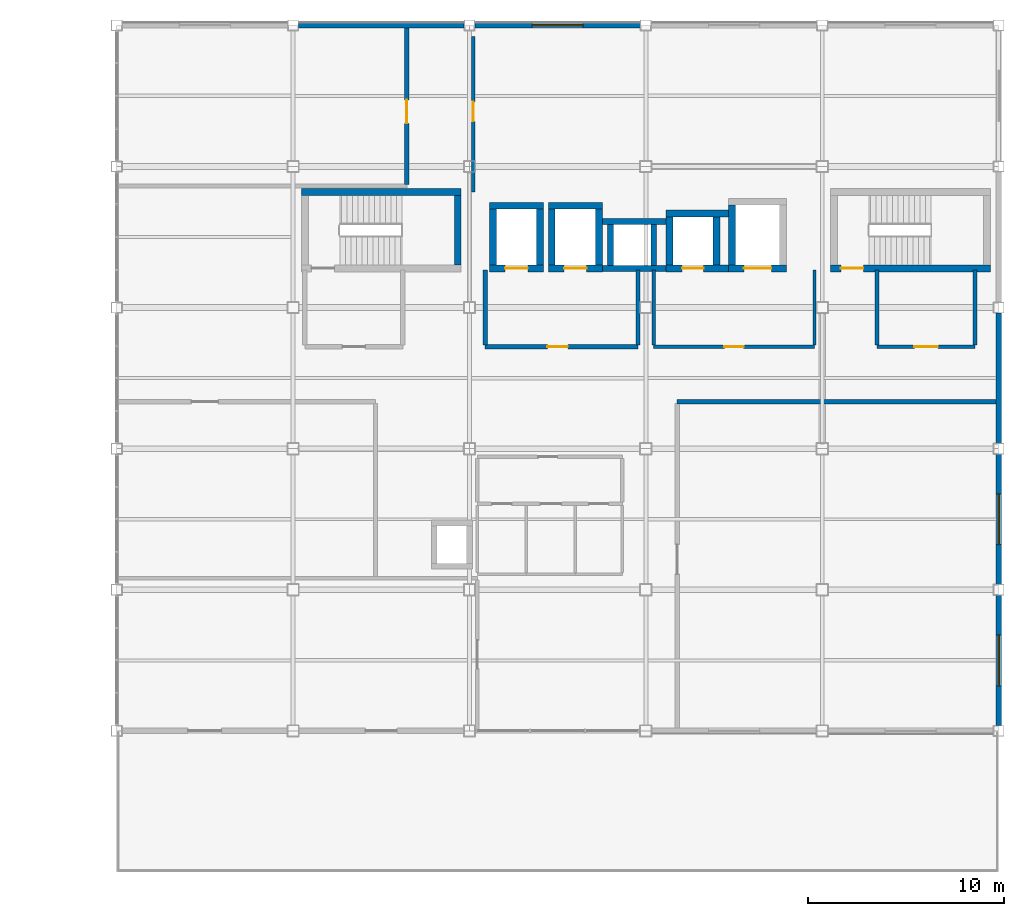
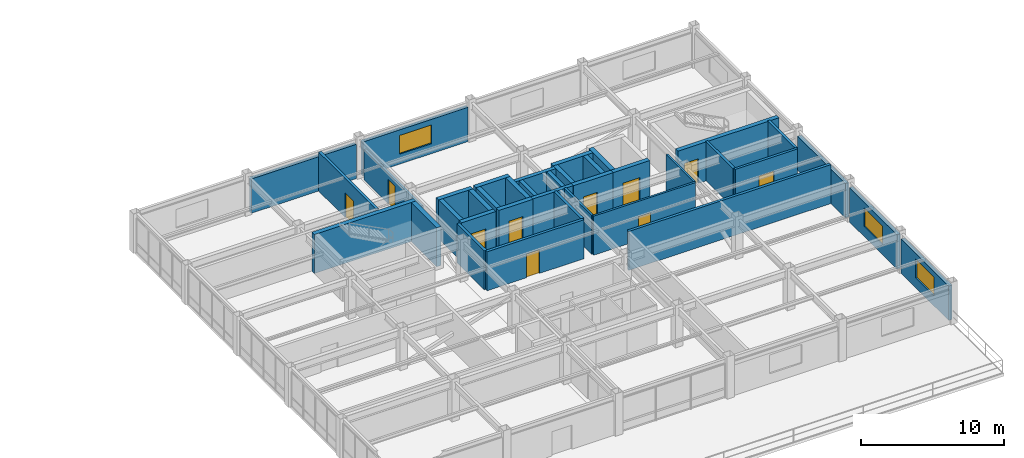
# One storey, part 38 of 43: 38 walls, 10 doors, 3 windows, 13 openings.
"""IFC4 building model written with IfcOpenShell, lengths in metres."""

from ifc_helpers import new_model, si_unit, direction, frame, frame_2d, origin, place, context, subcontext, project, spatial, rectangle, extrude, material, layer, layer_set, type_object, element, fill, save


model = new_model("IFC4")

# Units and contexts
model_context = context("Model", 3, precision=1e-05, world=origin(), true_north=direction((0.0, 1.0)))
body_context = subcontext(model_context, "Body", "Model", "MODEL_VIEW")
ifc_project = project(units=[si_unit("LENGTHUNIT", "METRE"), si_unit("AREAUNIT", "SQUARE_METRE"), si_unit("VOLUMEUNIT", "CUBIC_METRE"), si_unit("PLANEANGLEUNIT", "RADIAN"), si_unit("MASSUNIT", "GRAM", prefix="KILO")], contexts=[model_context])

# Site, building, storey
site_placement = place(None, origin())
site = spatial("IfcSite", under=ifc_project, at=site_placement, CompositionType="ELEMENT")
building_placement = place(site_placement, origin())
building = spatial("IfcBuilding", under=site, at=building_placement, Name="Kazanami Central Library", CompositionType="ELEMENT")
storey_placement = place(building_placement, frame((0.0, 0.0, 20.60009765625)))
storey = spatial("IfcBuildingStorey", under=building, at=storey_placement, Name="L06", CompositionType="ELEMENT", Elevation=20.60009765625)

# Wall
ifc_material_1 = material(Name="Concrete Fc36 (36 MPa)", Category="concrete")
ifc_layer_1 = layer(ifc_material_1, 0.199951171875, Name="Concrete Fc36 (36 MPa)")
ifc_material_2 = material(Name="Extruded Polystyrene XPS", Category="earth")
ifc_layer_2 = layer(ifc_material_2, 0.050048828125, Name="Extruded Polystyrene XPS")
ifc_material_3 = material(Name="Honed Inada Granite", Category="masonry")
ifc_layer_3 = layer(ifc_material_3, 0.030029296875, Name="Honed Inada Granite")
ifc_layer_set_1 = layer_set([ifc_layer_1, ifc_layer_2, ifc_layer_3], Name="Concrete Fc36 (36 MPa)")
wall_type_1 = type_object("IfcWallType", Name="WAL-EW-280", PredefinedType="STANDARD", material=ifc_layer_set_1)
wall_1_placement = place(storey_placement, frame((134.72509765625, 93.60009765625, 0.0), z_axis=(0.0, 0.0, 1.0), x_axis=(-1.0, 0.0, 0.0)))
element("IfcWall", 1, at=wall_1_placement, inside=storey, type_object=wall_type_1, Name="Exterior Facade Wall EW-280 L06 N-O-14", PredefinedType="STANDARD", context=body_context, shape_type="SweptSolid", body=[
    extrude(rectangle(XDim=8.4501953125, YDim=0.280029296875, at=frame_2d((4.22509765625, 0.0))), origin(), (0.0, 0.0, 1.0), 2.919921875),
])

# Wall, opening, window
wall_2_placement = place(storey_placement, frame((143.72509765625, 93.60009765625, 0.0), z_axis=(0.0, 0.0, 1.0), x_axis=(-1.0, 0.0, 0.0)))
wall_2 = element("IfcWall", 2, at=wall_2_placement, inside=storey, type_object=wall_type_1, Name="Exterior Facade Wall EW-280 L06 N-O-15", PredefinedType="STANDARD", context=body_context, shape_type="SweptSolid", body=[
    extrude(rectangle(XDim=8.4501953125, YDim=0.280029296875, at=frame_2d((4.22509765625, 0.0))), origin(), (0.0, 0.0, 1.0), 2.919921875),
])
opening_1_placement = place(wall_2_placement, frame((2.925048828125, 0.0, 0.85009765625)))
opening_1 = element("IfcOpeningElement", 3, at=opening_1_placement, cuts=wall_2, Name="Opening WN-13", PredefinedType="OPENING", context=body_context, shape_type="SweptSolid", body=[
    extrude(rectangle(XDim=2.60009765625, YDim=1.60009765625, at=frame_2d((1.300048828125, 0.800048828125))), frame((0.0, 0.15185546875, 0.0), z_axis=(0.0, -1.0, 0.0), x_axis=(1.0, 0.0, 0.0)), (0.0, 0.0, 1.0), 0.303955078125),
])
ifc_material_4 = material(Name="Low-E Insulated Triple Glass", Category="glass")
window_type = type_object("IfcWindowType", Name="WIN-WN-13", PartitioningType="DOUBLE_PANEL_VERTICAL", PredefinedType="WINDOW", material=ifc_material_4)
window_1_placement = place(opening_1_placement, origin())
window_1 = element("IfcWindow", 4, at=window_1_placement, inside=storey, type_object=window_type, Name="Facade Window WN-13 L06 N-O-15", OverallHeight=1.60009765625, OverallWidth=2.60009765625, PartitioningType="DOUBLE_PANEL_VERTICAL", PredefinedType="WINDOW", context=body_context, shape_type="SweptSolid", body=[
    extrude(rectangle(XDim=2.60009765625, YDim=1.60009765625, at=frame_2d((1.300048828125, 0.800048828125))), frame((0.0, 0.030029296875, 0.0), z_axis=(0.0, -1.0, 0.0), x_axis=(1.0, 0.0, 0.0)), (0.0, 0.0, 1.0), 0.06005859375),
])
fill(opening_1, window_1)

wall_3_placement = place(storey_placement, frame((162.0, 64.52490234375, 0.0), z_axis=(0.0, 0.0, 1.0), x_axis=(0.0, -1.0, 0.0)))
wall_3 = element("IfcWall", 5, at=wall_3_placement, inside=storey, type_object=wall_type_1, Name="Exterior Facade Wall EW-280 L06 E-19-08", PredefinedType="STANDARD", context=body_context, shape_type="SweptSolid", body=[
    extrude(rectangle(XDim=6.64990234375, YDim=0.280029296875, at=frame_2d((3.324951171875, 0.0))), origin(), (0.0, 0.0, 1.0), 2.919921875),
])
opening_2_placement = place(wall_3_placement, frame((2.02490234375, 0.0, 0.85009765625)))
opening_2 = element("IfcOpeningElement", 6, at=opening_2_placement, cuts=wall_3, Name="Opening WN-13", PredefinedType="OPENING", context=body_context, shape_type="SweptSolid", body=[
    extrude(rectangle(XDim=2.60009765625, YDim=1.60009765625, at=frame_2d((1.300048828125, 0.800048828125))), frame((0.0, 0.15185546875, 0.0), z_axis=(0.0, -1.0, 0.0), x_axis=(1.0, 0.0, 0.0)), (0.0, 0.0, 1.0), 0.303955078125),
])
window_2_placement = place(opening_2_placement, origin())
window_2 = element("IfcWindow", 7, at=window_2_placement, inside=storey, type_object=window_type, Name="Facade Window WN-13 L06 E-19-08", OverallHeight=1.60009765625, OverallWidth=2.60009765625, PartitioningType="DOUBLE_PANEL_VERTICAL", PredefinedType="WINDOW", context=body_context, shape_type="SweptSolid", body=[
    extrude(rectangle(XDim=2.60009765625, YDim=1.60009765625, at=frame_2d((1.300048828125, 0.800048828125))), frame((0.0, 0.030029296875, 0.0), z_axis=(0.0, -1.0, 0.0), x_axis=(1.0, 0.0, 0.0)), (0.0, 0.0, 1.0), 0.06005859375),
])
fill(opening_2, window_2)

wall_4_placement = place(storey_placement, frame((162.0, 71.72509765625, 0.0), z_axis=(0.0, 0.0, 1.0), x_axis=(0.0, -1.0, 0.0)))
wall_4 = element("IfcWall", 8, at=wall_4_placement, inside=storey, type_object=wall_type_1, Name="Exterior Facade Wall EW-280 L06 E-19-09", PredefinedType="STANDARD", context=body_context, shape_type="SweptSolid", body=[
    extrude(rectangle(XDim=6.650146484375, YDim=0.280029296875, at=frame_2d((3.3251953125, 0.0))), origin(), (0.0, 0.0, 1.0), 2.919921875),
])
opening_3_placement = place(wall_4_placement, frame((2.02490234375, 0.0, 0.85009765625)))
opening_3 = element("IfcOpeningElement", 9, at=opening_3_placement, cuts=wall_4, Name="Opening WN-13", PredefinedType="OPENING", context=body_context, shape_type="SweptSolid", body=[
    extrude(rectangle(XDim=2.60009765625, YDim=1.60009765625, at=frame_2d((1.300048828125, 0.800048828125))), frame((0.0, 0.15185546875, 0.0), z_axis=(0.0, -1.0, 0.0), x_axis=(1.0, 0.0, 0.0)), (0.0, 0.0, 1.0), 0.303955078125),
])
window_3_placement = place(opening_3_placement, origin())
window_3 = element("IfcWindow", 10, at=window_3_placement, inside=storey, type_object=window_type, Name="Facade Window WN-13 L06 E-19-09", OverallHeight=1.60009765625, OverallWidth=2.60009765625, PartitioningType="DOUBLE_PANEL_VERTICAL", PredefinedType="WINDOW", context=body_context, shape_type="SweptSolid", body=[
    extrude(rectangle(XDim=2.60009765625, YDim=1.60009765625, at=frame_2d((1.300048828125, 0.800048828125))), frame((0.0, 0.030029296875, 0.0), z_axis=(0.0, -1.0, 0.0), x_axis=(1.0, 0.0, 0.0)), (0.0, 0.0, 1.0), 0.06005859375),
])
fill(opening_3, window_3)

# Wall
wall_5_placement = place(storey_placement, frame((162.0, 78.925048828125, 0.0), z_axis=(0.0, 0.0, 1.0), x_axis=(0.0, -1.0, 0.0)))
element("IfcWall", 11, at=wall_5_placement, inside=storey, type_object=wall_type_1, Name="Exterior Facade Wall EW-280 L06 E-19-10", PredefinedType="STANDARD", context=body_context, shape_type="SweptSolid", body=[
    extrude(rectangle(XDim=6.650146484375, YDim=0.280029296875, at=frame_2d((3.3251953125, 0.0))), origin(), (0.0, 0.0, 1.0), 2.919921875),
])

# Wall, opening, door
ifc_material_5 = material(Name="Fire-Resistant Gypsum Board GB-F", Category="gypsum")
ifc_layer_4 = layer(ifc_material_5, 0.1650390625, Name="Fire-Resistant Gypsum Board GB-F")
ifc_layer_set_2 = layer_set([ifc_layer_4], Name="Fire-Resistant Gypsum Board GB-F")
wall_type_2 = type_object("IfcWallType", Name="WAL-FW-165", PredefinedType="PARTITIONING", material=ifc_layer_set_2)
wall_6_placement = place(storey_placement, frame((144.39990234375, 77.199951171875, 0.0), z_axis=(0.0, 0.0, 1.0), x_axis=(1.0, 0.0, 0.0)))
wall_6 = element("IfcWall", 12, at=wall_6_placement, inside=storey, type_object=wall_type_2, Name="Interior Partition FW-165 L06 LOBBY-V2 (South)", PredefinedType="PARTITIONING", context=body_context, shape_type="SweptSolid", body=[
    extrude(rectangle(XDim=8.2001953125, YDim=0.1650390625, at=frame_2d((4.10009765625, 0.0))), origin(), (0.0, 0.0, 1.0), 3.31982421875),
])
opening_4_placement = place(wall_6_placement, frame((3.610107421875, 0.0, 0.0)))
opening_4 = element("IfcOpeningElement", 13, at=opening_4_placement, cuts=wall_6, Name="Opening FD30-3", PredefinedType="OPENING", context=body_context, shape_type="SweptSolid", body=[
    extrude(rectangle(XDim=0.97998046875, YDim=2.02001953125, at=frame_2d((0.489990234375, 1.010009765625))), frame((0.0, 0.094482421875, 0.0), z_axis=(0.0, -1.0, 0.0), x_axis=(1.0, 0.0, 0.0)), (0.0, 0.0, 1.0), 0.18896484375),
])
ifc_material_6 = material(Name="Cold-Rolled Steel SPCC", Category="steel")
door_type_1 = type_object("IfcDoorType", Name="DOR-FD30-3", OperationType="NOTDEFINED", PredefinedType="DOOR", material=ifc_material_6)
door_1_placement = place(opening_4_placement, frame((0.97998046875, 0.0, 0.0), z_axis=(0.0, 0.0, 1.0), x_axis=(-1.0, 0.0, 0.0)))
door_1 = element("IfcDoor", 14, at=door_1_placement, inside=storey, type_object=door_type_1, Name="Interior Door FD30-3 L06 LOBBY-V2", OperationType="SINGLE_SWING_RIGHT", OverallHeight=2.02001953125, OverallWidth=0.97998046875, PredefinedType="DOOR", context=body_context, shape_type="SweptSolid", body=[
    extrude(rectangle(XDim=0.97998046875, YDim=2.02001953125, at=frame_2d((0.489990234375, 1.010009765625))), frame((0.0, 0.02490234375, 0.0), z_axis=(0.0, -1.0, 0.0), x_axis=(1.0, 0.0, 0.0)), (0.0, 0.0, 1.0), 0.050048828125),
])
fill(opening_4, door_1)

# Walls
for number, where, z_axis, x_axis, name in (
    (15, (144.39990234375, 77.2900390625, 0.0), (0.0, 0.0, 1.0), (0.0, 1.0, 0.0), "Interior Partition FW-165 L06 LOBBY-V2 (West)"),
    (16, (152.60009765625, 77.2900390625, 0.0), (0.0, 0.0, 1.0), (0.0, 1.0, 0.0), "Interior Partition FW-165 L06 LOBBY-V2 (East)"),
):
    element("IfcWall", number, at=place(storey_placement, frame(where, z_axis=z_axis, x_axis=x_axis)), inside=storey, type_object=wall_type_2, Name=name, PredefinedType="PARTITIONING", context=body_context, shape_type="SweptSolid", body=[
        extrude(rectangle(XDim=3.820068359375, YDim=0.1650390625, at=frame_2d((1.91015625, 0.0))), origin(), (0.0, 0.0, 1.0), 3.31982421875),
    ])

# Wall, opening, door
ifc_layer_5 = layer(ifc_material_5, 0.179931640625, Name="Fire-Resistant Gypsum Board GB-F")
ifc_layer_set_3 = layer_set([ifc_layer_5], Name="Fire-Resistant Gypsum Board GB-F")
wall_type_3 = type_object("IfcWallType", Name="WAL-FW-180", PredefinedType="PARTITIONING", material=ifc_layer_set_3)
wall_7_placement = place(storey_placement, frame((135.199951171875, 85.090087890625, 0.0), z_axis=(0.0, 0.0, 1.0), x_axis=(0.0, 1.0, 0.0)))
wall_7 = element("IfcWall", 17, at=wall_7_placement, inside=storey, type_object=wall_type_3, Name="Interior Partition FW-180 L06 RM-19 (West)", PredefinedType="PARTITIONING", context=body_context, shape_type="SweptSolid", body=[
    extrude(rectangle(XDim=7.94482421875, YDim=0.179931640625, at=frame_2d((3.972412109375, 0.0))), origin(), (0.0, 0.0, 1.0), 2.599853515625),
])
opening_5_placement = place(wall_7_placement, frame((3.610107421875, 0.0, 0.0)))
opening_5 = element("IfcOpeningElement", 18, at=opening_5_placement, cuts=wall_7, Name="Opening FD30-2", PredefinedType="OPENING", context=body_context, shape_type="SweptSolid", body=[
    extrude(rectangle(XDim=1.0, YDim=2.080078125, at=frame_2d((0.5, 1.0400390625))), frame((0.0, 0.10205078125, 0.0), z_axis=(0.0, -1.0, 0.0), x_axis=(1.0, 0.0, 0.0)), (0.0, 0.0, 1.0), 0.203857421875),
])
door_type_2 = type_object("IfcDoorType", Name="DOR-FD30-2", OperationType="NOTDEFINED", PredefinedType="DOOR", material=ifc_material_6)
door_2_placement = place(opening_5_placement, origin())
door_2 = element("IfcDoor", 19, at=door_2_placement, inside=storey, type_object=door_type_2, Name="Interior Door FD30-2 L06 RM-19", OperationType="SINGLE_SWING_LEFT", OverallHeight=2.080078125, OverallWidth=1.0, PredefinedType="DOOR", context=body_context, shape_type="SweptSolid", body=[
    extrude(rectangle(XDim=1.0, YDim=2.080078125, at=frame_2d((0.5, 1.0400390625))), frame((0.0, 0.02490234375, 0.0), z_axis=(0.0, -1.0, 0.0), x_axis=(1.0, 0.0, 0.0)), (0.0, 0.0, 1.0), 0.050048828125),
])
fill(opening_5, door_2)

ifc_layer_6 = layer(ifc_material_5, 0.199951171875, Name="Fire-Resistant Gypsum Board GB-F")
ifc_layer_set_4 = layer_set([ifc_layer_6], Name="Fire-Resistant Gypsum Board GB-F")
wall_type_4 = type_object("IfcWallType", Name="WAL-FW-200", PredefinedType="PARTITIONING", material=ifc_layer_set_4)
wall_8_placement = place(storey_placement, frame((155.800048828125, 77.199951171875, 0.0), z_axis=(0.0, 0.0, 1.0), x_axis=(1.0, 0.0, 0.0)))
wall_8 = element("IfcWall", 20, at=wall_8_placement, inside=storey, type_object=wall_type_4, Name="Interior Partition FW-200 L06 VEST-ST-02 (South)", PredefinedType="PARTITIONING", context=body_context, shape_type="SweptSolid", body=[
    extrude(rectangle(XDim=5.0, YDim=0.199951171875, at=frame_2d((2.5, 0.0))), origin(), (0.0, 0.0, 1.0), 3.31982421875),
])
opening_6_placement = place(wall_8_placement, frame((1.89990234375, 0.0, 0.0)))
opening_6 = element("IfcOpeningElement", 21, at=opening_6_placement, cuts=wall_8, Name="Opening FD60-1", PredefinedType="OPENING", context=body_context, shape_type="SweptSolid", body=[
    extrude(rectangle(XDim=1.199951171875, YDim=2.10009765625, at=frame_2d((0.60009765625, 1.050048828125))), frame((0.0, 0.11181640625, 0.0), z_axis=(0.0, -1.0, 0.0), x_axis=(1.0, 0.0, 0.0)), (0.0, 0.0, 1.0), 0.223876953125),
])
door_type_3 = type_object("IfcDoorType", Name="DOR-FD60-1", OperationType="NOTDEFINED", PredefinedType="DOOR", material=ifc_material_6)
door_3_placement = place(opening_6_placement, origin())
door_3 = element("IfcDoor", 22, at=door_3_placement, inside=storey, type_object=door_type_3, Name="Interior Door FD60-1 L06 VEST-ST-02", OperationType="SINGLE_SWING_RIGHT", OverallHeight=2.10009765625, OverallWidth=1.199951171875, PredefinedType="DOOR", context=body_context, shape_type="SweptSolid", body=[
    extrude(rectangle(XDim=1.199951171875, YDim=2.10009765625, at=frame_2d((0.60009765625, 1.050048828125))), frame((0.0, 0.02490234375, 0.0), z_axis=(0.0, -1.0, 0.0), x_axis=(1.0, 0.0, 0.0)), (0.0, 0.0, 1.0), 0.050048828125),
])
fill(opening_6, door_3)

# Walls
for number, where, z_axis, x_axis, name in (
    (23, (155.800048828125, 77.2900390625, 0.0), (0.0, 0.0, 1.0), (0.0, 1.0, 0.0), "Interior Partition FW-200 L06 VEST-ST-02 (West)"),
    (24, (160.800048828125, 77.2900390625, 0.0), (0.0, 0.0, 1.0), (0.0, 1.0, 0.0), "Interior Partition FW-200 L06 VEST-ST-02 (East)"),
):
    element("IfcWall", number, at=place(storey_placement, frame(where, z_axis=z_axis, x_axis=x_axis)), inside=storey, type_object=wall_type_4, Name=name, PredefinedType="PARTITIONING", context=body_context, shape_type="SweptSolid", body=[
        extrude(rectangle(XDim=3.820068359375, YDim=0.199951171875, at=frame_2d((1.91015625, 0.0))), origin(), (0.0, 0.0, 1.0), 3.31982421875),
    ])

# Wall, opening, door
ifc_layer_7 = layer(ifc_material_5, 0.219970703125, Name="Fire-Resistant Gypsum Board GB-F")
ifc_layer_set_5 = layer_set([ifc_layer_7], Name="Fire-Resistant Gypsum Board GB-F")
wall_type_5 = type_object("IfcWallType", Name="WAL-FW-220", PredefinedType="PARTITIONING", material=ifc_layer_set_5)
wall_9_placement = place(storey_placement, frame((135.800048828125, 77.199951171875, 0.0), z_axis=(0.0, 0.0, 1.0), x_axis=(1.0, 0.0, 0.0)))
wall_9 = element("IfcWall", 25, at=wall_9_placement, inside=storey, type_object=wall_type_5, Name="Interior Partition FW-220 L06 LOBBY-FF (South)", PredefinedType="PARTITIONING", context=body_context, shape_type="SweptSolid", body=[
    extrude(rectangle(XDim=7.800048828125, YDim=0.219970703125, at=frame_2d((3.89990234375, 0.0))), origin(), (0.0, 0.0, 1.0), 3.31982421875),
])
opening_7_placement = place(wall_9_placement, frame((3.175048828125, 0.0, 0.0)))
opening_7 = element("IfcOpeningElement", 26, at=opening_7_placement, cuts=wall_9, Name="Opening FD60-8", PredefinedType="OPENING", context=body_context, shape_type="SweptSolid", body=[
    extrude(rectangle(XDim=1.050048828125, YDim=2.02001953125, at=frame_2d((0.52490234375, 1.010009765625))), frame((0.0, 0.1220703125, 0.0), z_axis=(0.0, -1.0, 0.0), x_axis=(1.0, 0.0, 0.0)), (0.0, 0.0, 1.0), 0.243896484375),
])
door_type_4 = type_object("IfcDoorType", Name="DOR-FD60-8", OperationType="NOTDEFINED", PredefinedType="DOOR", material=ifc_material_6)
door_4_placement = place(opening_7_placement, frame((1.050048828125, 0.0, 0.0), z_axis=(0.0, 0.0, 1.0), x_axis=(-1.0, 0.0, 0.0)))
door_4 = element("IfcDoor", 27, at=door_4_placement, inside=storey, type_object=door_type_4, Name="Interior Door FD60-8 L06 LOBBY-FF", OperationType="SINGLE_SWING_LEFT", OverallHeight=2.02001953125, OverallWidth=1.050048828125, PredefinedType="DOOR", context=body_context, shape_type="SweptSolid", body=[
    extrude(rectangle(XDim=1.050048828125, YDim=2.02001953125, at=frame_2d((0.52490234375, 1.010009765625))), frame((0.0, 0.02490234375, 0.0), z_axis=(0.0, -1.0, 0.0), x_axis=(1.0, 0.0, 0.0)), (0.0, 0.0, 1.0), 0.050048828125),
])
fill(opening_7, door_4)

# Walls
for number, where, z_axis, x_axis, name in (
    (28, (135.800048828125, 77.2900390625, 0.0), (0.0, 0.0, 1.0), (0.0, 1.0, 0.0), "Interior Partition FW-220 L06 LOBBY-FF (West)"),
    (29, (143.60009765625, 77.2900390625, 0.0), (0.0, 0.0, 1.0), (0.0, 1.0, 0.0), "Interior Partition FW-220 L06 LOBBY-FF (East)"),
):
    element("IfcWall", number, at=place(storey_placement, frame(where, z_axis=z_axis, x_axis=x_axis)), inside=storey, type_object=wall_type_5, Name=name, PredefinedType="PARTITIONING", context=body_context, shape_type="SweptSolid", body=[
        extrude(rectangle(XDim=3.820068359375, YDim=0.219970703125, at=frame_2d((1.91015625, 0.0))), origin(), (0.0, 0.0, 1.0), 3.31982421875),
    ])
wall_10_placement = place(storey_placement, frame((145.60009765625, 74.39990234375, 0.0), z_axis=(0.0, 0.0, 1.0), x_axis=(1.0, 0.0, 0.0)))
element("IfcWall", 30, at=wall_10_placement, inside=storey, type_object=wall_type_5, Name="Interior Partition FW-220 L06 RM-17 (North)", PredefinedType="PARTITIONING", context=body_context, shape_type="SweptSolid", body=[
    extrude(rectangle(XDim=16.2548828125, YDim=0.219970703125, at=frame_2d((8.12744140625, 0.0))), origin(), (0.0, 0.0, 1.0), 3.31982421875),
])

# Wall, opening, door
wall_11_placement = place(storey_placement, frame((131.800048828125, 85.489990234375, 0.0), z_axis=(0.0, 0.0, 1.0), x_axis=(0.0, 1.0, 0.0)))
wall_11 = element("IfcWall", 31, at=wall_11_placement, inside=storey, type_object=wall_type_5, Name="Interior Partition FW-220 L06 RM-18 (East)", PredefinedType="PARTITIONING", context=body_context, shape_type="SweptSolid", body=[
    extrude(rectangle(XDim=7.965087890625, YDim=0.219970703125, at=frame_2d((3.982421875, 0.0))), origin(), (0.0, 0.0, 1.0), 3.31982421875),
])
opening_8_placement = place(wall_11_placement, frame((3.110107421875, 0.0, 0.0)))
opening_8 = element("IfcOpeningElement", 32, at=opening_8_placement, cuts=wall_11, Name="Opening FD60-1", PredefinedType="OPENING", context=body_context, shape_type="SweptSolid", body=[
    extrude(rectangle(XDim=1.199951171875, YDim=2.10009765625, at=frame_2d((0.60009765625, 1.050048828125))), frame((0.0, 0.1220703125, 0.0), z_axis=(0.0, -1.0, 0.0), x_axis=(1.0, 0.0, 0.0)), (0.0, 0.0, 1.0), 0.243896484375),
])
door_5_placement = place(opening_8_placement, origin())
door_5 = element("IfcDoor", 33, at=door_5_placement, inside=storey, type_object=door_type_3, Name="Interior Door FD60-1 L06 RM-18", OperationType="SINGLE_SWING_RIGHT", OverallHeight=2.10009765625, OverallWidth=1.199951171875, PredefinedType="DOOR", context=body_context, shape_type="SweptSolid", body=[
    extrude(rectangle(XDim=1.199951171875, YDim=2.10009765625, at=frame_2d((0.60009765625, 1.050048828125))), frame((0.0, 0.02490234375, 0.0), z_axis=(0.0, -1.0, 0.0), x_axis=(1.0, 0.0, 0.0)), (0.0, 0.0, 1.0), 0.050048828125),
])
fill(opening_8, door_5)

# Walls
ifc_layer_8 = layer(ifc_material_1, 0.300048828125, Name="Concrete Fc36 (36 MPa)")
ifc_layer_set_6 = layer_set([ifc_layer_8], Name="Concrete Fc36 (36 MPa)")
wall_type_6 = type_object("IfcWallType", Name="WAL-SW-300", PredefinedType="SHEAR", material=ifc_layer_set_6)
for number, where, z_axis, x_axis, name in (
    (34, (141.77490234375, 81.199951171875, 0.0), (0.0, 0.0, 1.0), (1.0, 0.0, 0.0), "Service Riser Wall RSR-V2-A S L06"),
    (35, (141.77490234375, 83.60009765625, 0.0), (0.0, 0.0, 1.0), (1.0, 0.0, 0.0), "Service Riser Wall RSR-V2-A N L06"),
):
    element("IfcWall", number, at=place(storey_placement, frame(where, z_axis=z_axis, x_axis=x_axis)), inside=storey, type_object=wall_type_6, Name=name, PredefinedType="SHEAR", context=body_context, shape_type="SweptSolid", body=[
        extrude(rectangle(XDim=3.25, YDim=0.300048828125, at=frame_2d((1.625, 0.0))), origin(), (0.0, 0.0, 1.0), 3.31982421875),
    ])
for number, where, z_axis, x_axis, name in (
    (36, (142.199951171875, 81.35009765625, 0.0), (0.0, 0.0, 1.0), (0.0, 1.0, 0.0), "Service Riser Wall RSR-V2-A W L06"),
    (37, (144.39990234375, 81.35009765625, 0.0), (0.0, 0.0, 1.0), (0.0, 1.0, 0.0), "Service Riser Wall RSR-V2-A E L06"),
):
    element("IfcWall", number, at=place(storey_placement, frame(where, z_axis=z_axis, x_axis=x_axis)), inside=storey, type_object=wall_type_6, Name=name, PredefinedType="SHEAR", context=body_context, shape_type="SweptSolid", body=[
        extrude(rectangle(XDim=2.099853515625, YDim=0.300048828125, at=frame_2d((1.0498046875, 0.0))), origin(), (0.0, 0.0, 1.0), 3.31982421875),
    ])
ifc_layer_9 = layer(ifc_material_1, 0.35009765625, Name="Concrete Fc36 (36 MPa)")
ifc_layer_set_7 = layer_set([ifc_layer_9], Name="Concrete Fc36 (36 MPa)")
wall_type_7 = type_object("IfcWallType", Name="WAL-SW-350", PredefinedType="SHEAR", material=ifc_layer_set_7)
wall_12_placement = place(storey_placement, frame((126.425048828125, 85.10009765625, 0.0), z_axis=(0.0, 0.0, 1.0), x_axis=(1.0, 0.0, 0.0)))
element("IfcWall", 38, at=wall_12_placement, inside=storey, type_object=wall_type_7, Name="Stair Core Wall ST-01 North L06", PredefinedType="SHEAR", context=body_context, shape_type="SweptSolid", body=[
    extrude(rectangle(XDim=8.14990234375, YDim=0.35009765625, at=frame_2d((4.074951171875, 0.0))), origin(), (0.0, 0.0, 1.0), 3.31982421875),
])
wall_13_placement = place(storey_placement, frame((134.39990234375, 81.375, 0.0), z_axis=(0.0, 0.0, 1.0), x_axis=(0.0, 1.0, 0.0)))
element("IfcWall", 39, at=wall_13_placement, inside=storey, type_object=wall_type_7, Name="Stair Core Wall ST-01 East L06", PredefinedType="SHEAR", context=body_context, shape_type="SweptSolid", body=[
    extrude(rectangle(XDim=3.550048828125, YDim=0.35009765625, at=frame_2d((1.77490234375, 0.0))), origin(), (0.0, 0.0, 1.0), 3.31982421875),
])

# Wall, opening, door
wall_14_placement = place(storey_placement, frame((153.425048828125, 81.199951171875, 0.0), z_axis=(0.0, 0.0, 1.0), x_axis=(1.0, 0.0, 0.0)))
wall_14 = element("IfcWall", 40, at=wall_14_placement, inside=storey, type_object=wall_type_7, Name="Stair Core Wall ST-02 South L06", PredefinedType="SHEAR", context=body_context, shape_type="SweptSolid", body=[
    extrude(rectangle(XDim=8.14990234375, YDim=0.35009765625, at=frame_2d((4.074951171875, 0.0))), origin(), (0.0, 0.0, 1.0), 3.31982421875),
])
opening_9_placement = place(wall_14_placement, frame((0.52490234375, 0.0, 0.0)))
opening_9 = element("IfcOpeningElement", 41, at=opening_9_placement, cuts=wall_14, Name="Opening FD60-2", PredefinedType="OPENING", context=body_context, shape_type="SweptSolid", body=[
    extrude(rectangle(XDim=1.14990234375, YDim=2.10009765625, at=frame_2d((0.574951171875, 1.050048828125))), frame((0.0, 0.18701171875, 0.0), z_axis=(0.0, -1.0, 0.0), x_axis=(1.0, 0.0, 0.0)), (0.0, 0.0, 1.0), 0.3740234375),
])
door_type_5 = type_object("IfcDoorType", Name="DOR-FD60-2", OperationType="NOTDEFINED", PredefinedType="DOOR", material=ifc_material_6)
door_6_placement = place(opening_9_placement, origin())
door_6 = element("IfcDoor", 42, at=door_6_placement, inside=storey, type_object=door_type_5, Name="Escape Stair ST-02 Fire Door L06", OperationType="SINGLE_SWING_LEFT", OverallHeight=2.10009765625, OverallWidth=1.14990234375, PredefinedType="DOOR", context=body_context, shape_type="SweptSolid", body=[
    extrude(rectangle(XDim=1.14990234375, YDim=2.10009765625, at=frame_2d((0.574951171875, 1.050048828125))), frame((0.0, 0.02490234375, 0.0), z_axis=(0.0, -1.0, 0.0), x_axis=(1.0, 0.0, 0.0)), (0.0, 0.0, 1.0), 0.050048828125),
])
fill(opening_9, door_6)

wall_15_placement = place(storey_placement, frame((136.02490234375, 81.199951171875, 0.0), z_axis=(0.0, 0.0, 1.0), x_axis=(1.0, 0.0, 0.0)))
wall_15 = element("IfcWall", 43, at=wall_15_placement, inside=storey, type_object=wall_type_7, Name="Lift Shaft Wall EL-F1 South L06", PredefinedType="SHEAR", context=body_context, shape_type="SweptSolid", body=[
    extrude(rectangle(XDim=2.75, YDim=0.35009765625, at=frame_2d((1.375, 0.0))), origin(), (0.0, 0.0, 1.0), 3.31982421875),
])
opening_10_placement = place(wall_15_placement, frame((0.800048828125, 0.0, 0.0)))
opening_10 = element("IfcOpeningElement", 44, at=opening_10_placement, cuts=wall_15, Name="Opening LD-02", PredefinedType="OPENING", context=body_context, shape_type="SweptSolid", body=[
    extrude(rectangle(XDim=1.14990234375, YDim=2.1201171875, at=frame_2d((0.574951171875, 1.06005859375))), frame((0.0, 0.18701171875, 0.0), z_axis=(0.0, -1.0, 0.0), x_axis=(1.0, 0.0, 0.0)), (0.0, 0.0, 1.0), 0.3740234375),
])
ifc_material_7 = material(Name="Stainless Steel SUS304", Category="steel")
door_type_6 = type_object("IfcDoorType", Name="DOR-LD-02", OperationType="SLIDING_TO_LEFT", PredefinedType="DOOR", material=ifc_material_7)
door_7_placement = place(opening_10_placement, origin())
door_7 = element("IfcDoor", 45, at=door_7_placement, inside=storey, type_object=door_type_6, Name="Lift Landing Sliding Door EL-F1 (L06)", OperationType="SLIDING_TO_LEFT", OverallHeight=2.1201171875, OverallWidth=1.14990234375, PredefinedType="DOOR", context=body_context, shape_type="SweptSolid", body=[
    extrude(rectangle(XDim=1.14990234375, YDim=2.1201171875, at=frame_2d((0.574951171875, 1.06005859375))), frame((0.0, 0.02490234375, 0.0), z_axis=(0.0, -1.0, 0.0), x_axis=(1.0, 0.0, 0.0)), (0.0, 0.0, 1.0), 0.050048828125),
])
fill(opening_10, door_7)

# Walls
wall_16_placement = place(storey_placement, frame((136.02490234375, 84.39990234375, 0.0), z_axis=(0.0, 0.0, 1.0), x_axis=(1.0, 0.0, 0.0)))
element("IfcWall", 46, at=wall_16_placement, inside=storey, type_object=wall_type_7, Name="Lift Shaft Wall EL-F1 North L06", PredefinedType="SHEAR", context=body_context, shape_type="SweptSolid", body=[
    extrude(rectangle(XDim=2.75, YDim=0.35009765625, at=frame_2d((1.375, 0.0))), origin(), (0.0, 0.0, 1.0), 3.31982421875),
])
for number, where, z_axis, x_axis, name in (
    (47, (136.199951171875, 81.375, 0.0), (0.0, 0.0, 1.0), (0.0, 1.0, 0.0), "Lift Shaft Wall EL-F1 West L06"),
    (48, (138.60009765625, 81.375, 0.0), (0.0, 0.0, 1.0), (0.0, 1.0, 0.0), "Lift Shaft Wall EL-F1 East L06"),
):
    element("IfcWall", number, at=place(storey_placement, frame(where, z_axis=z_axis, x_axis=x_axis)), inside=storey, type_object=wall_type_7, Name=name, PredefinedType="SHEAR", context=body_context, shape_type="SweptSolid", body=[
        extrude(rectangle(XDim=2.85009765625, YDim=0.35009765625, at=frame_2d((1.425048828125, 0.0))), origin(), (0.0, 0.0, 1.0), 3.31982421875),
    ])

# Wall, opening, door
wall_17_placement = place(storey_placement, frame((139.02490234375, 81.199951171875, 0.0), z_axis=(0.0, 0.0, 1.0), x_axis=(1.0, 0.0, 0.0)))
wall_17 = element("IfcWall", 49, at=wall_17_placement, inside=storey, type_object=wall_type_7, Name="Lift Shaft Wall EL-F2 South L06", PredefinedType="SHEAR", context=body_context, shape_type="SweptSolid", body=[
    extrude(rectangle(XDim=2.75, YDim=0.35009765625, at=frame_2d((1.375, 0.0))), origin(), (0.0, 0.0, 1.0), 3.31982421875),
])
opening_11_placement = place(wall_17_placement, frame((0.800048828125, 0.0, 0.0)))
opening_11 = element("IfcOpeningElement", 50, at=opening_11_placement, cuts=wall_17, Name="Opening LD-02", PredefinedType="OPENING", context=body_context, shape_type="SweptSolid", body=[
    extrude(rectangle(XDim=1.14990234375, YDim=2.1201171875, at=frame_2d((0.574951171875, 1.06005859375))), frame((0.0, 0.18701171875, 0.0), z_axis=(0.0, -1.0, 0.0), x_axis=(1.0, 0.0, 0.0)), (0.0, 0.0, 1.0), 0.3740234375),
])
door_8_placement = place(opening_11_placement, origin())
door_8 = element("IfcDoor", 51, at=door_8_placement, inside=storey, type_object=door_type_6, Name="Lift Landing Sliding Door EL-F2 (L06)", OperationType="SLIDING_TO_LEFT", OverallHeight=2.1201171875, OverallWidth=1.14990234375, PredefinedType="DOOR", context=body_context, shape_type="SweptSolid", body=[
    extrude(rectangle(XDim=1.14990234375, YDim=2.1201171875, at=frame_2d((0.574951171875, 1.06005859375))), frame((0.0, 0.02490234375, 0.0), z_axis=(0.0, -1.0, 0.0), x_axis=(1.0, 0.0, 0.0)), (0.0, 0.0, 1.0), 0.050048828125),
])
fill(opening_11, door_8)

# Walls
wall_18_placement = place(storey_placement, frame((139.02490234375, 84.39990234375, 0.0), z_axis=(0.0, 0.0, 1.0), x_axis=(1.0, 0.0, 0.0)))
element("IfcWall", 52, at=wall_18_placement, inside=storey, type_object=wall_type_7, Name="Lift Shaft Wall EL-F2 North L06", PredefinedType="SHEAR", context=body_context, shape_type="SweptSolid", body=[
    extrude(rectangle(XDim=2.75, YDim=0.35009765625, at=frame_2d((1.375, 0.0))), origin(), (0.0, 0.0, 1.0), 3.31982421875),
])
for number, where, z_axis, x_axis, name in (
    (53, (139.199951171875, 81.375, 0.0), (0.0, 0.0, 1.0), (0.0, 1.0, 0.0), "Lift Shaft Wall EL-F2 West L06"),
    (54, (141.60009765625, 81.375, 0.0), (0.0, 0.0, 1.0), (0.0, 1.0, 0.0), "Lift Shaft Wall EL-F2 East L06"),
):
    element("IfcWall", number, at=place(storey_placement, frame(where, z_axis=z_axis, x_axis=x_axis)), inside=storey, type_object=wall_type_7, Name=name, PredefinedType="SHEAR", context=body_context, shape_type="SweptSolid", body=[
        extrude(rectangle(XDim=2.85009765625, YDim=0.35009765625, at=frame_2d((1.425048828125, 0.0))), origin(), (0.0, 0.0, 1.0), 3.31982421875),
    ])

# Wall, opening, door
wall_19_placement = place(storey_placement, frame((145.02490234375, 81.199951171875, 0.0), z_axis=(0.0, 0.0, 1.0), x_axis=(1.0, 0.0, 0.0)))
wall_19 = element("IfcWall", 55, at=wall_19_placement, inside=storey, type_object=wall_type_7, Name="Lift Shaft Wall EL-P1 South L06", PredefinedType="SHEAR", context=body_context, shape_type="SweptSolid", body=[
    extrude(rectangle(XDim=3.2001953125, YDim=0.35009765625, at=frame_2d((1.60009765625, 0.0))), origin(), (0.0, 0.0, 1.0), 3.31982421875),
])
opening_12_placement = place(wall_19_placement, frame((0.824951171875, 0.0, 0.0)))
opening_12 = element("IfcOpeningElement", 56, at=opening_12_placement, cuts=wall_19, Name="Opening LD-01", PredefinedType="OPENING", context=body_context, shape_type="SweptSolid", body=[
    extrude(rectangle(XDim=1.10009765625, YDim=2.10009765625, at=frame_2d((0.550048828125, 1.050048828125))), frame((0.0, 0.18701171875, 0.0), z_axis=(0.0, -1.0, 0.0), x_axis=(1.0, 0.0, 0.0)), (0.0, 0.0, 1.0), 0.3740234375),
])
door_type_7 = type_object("IfcDoorType", Name="DOR-LD-01", OperationType="SLIDING_TO_LEFT", PredefinedType="DOOR", material=ifc_material_7)
door_9_placement = place(opening_12_placement, origin())
door_9 = element("IfcDoor", 57, at=door_9_placement, inside=storey, type_object=door_type_7, Name="Lift Landing Sliding Door EL-P1 (L06)", OperationType="SLIDING_TO_LEFT", OverallHeight=2.10009765625, OverallWidth=1.10009765625, PredefinedType="DOOR", context=body_context, shape_type="SweptSolid", body=[
    extrude(rectangle(XDim=1.10009765625, YDim=2.10009765625, at=frame_2d((0.550048828125, 1.050048828125))), frame((0.0, 0.02490234375, 0.0), z_axis=(0.0, -1.0, 0.0), x_axis=(1.0, 0.0, 0.0)), (0.0, 0.0, 1.0), 0.050048828125),
])
fill(opening_12, door_9)

# Walls
wall_20_placement = place(storey_placement, frame((145.02490234375, 84.0, 0.0), z_axis=(0.0, 0.0, 1.0), x_axis=(1.0, 0.0, 0.0)))
element("IfcWall", 58, at=wall_20_placement, inside=storey, type_object=wall_type_7, Name="Lift Shaft Wall EL-P1 North L06", PredefinedType="SHEAR", context=body_context, shape_type="SweptSolid", body=[
    extrude(rectangle(XDim=3.2001953125, YDim=0.35009765625, at=frame_2d((1.60009765625, 0.0))), origin(), (0.0, 0.0, 1.0), 3.31982421875),
])
for number, where, z_axis, x_axis, name in (
    (59, (145.199951171875, 81.375, 0.0), (0.0, 0.0, 1.0), (0.0, 1.0, 0.0), "Lift Shaft Wall EL-P1 West L06"),
    (60, (147.60009765625, 81.375, 0.0), (0.0, 0.0, 1.0), (0.0, 1.0, 0.0), "Lift Shaft Wall EL-P1 East L06"),
):
    element("IfcWall", number, at=place(storey_placement, frame(where, z_axis=z_axis, x_axis=x_axis)), inside=storey, type_object=wall_type_7, Name=name, PredefinedType="SHEAR", context=body_context, shape_type="SweptSolid", body=[
        extrude(rectangle(XDim=2.449951171875, YDim=0.35009765625, at=frame_2d((1.22509765625, 0.0))), origin(), (0.0, 0.0, 1.0), 3.31982421875),
    ])

# Wall, opening, door
wall_21_placement = place(storey_placement, frame((148.22509765625, 81.199951171875, 0.0), z_axis=(0.0, 0.0, 1.0), x_axis=(1.0, 0.0, 0.0)))
wall_21 = element("IfcWall", 61, at=wall_21_placement, inside=storey, type_object=wall_type_7, Name="Lift Shaft Wall EL-S1 South L06", PredefinedType="SHEAR", context=body_context, shape_type="SweptSolid", body=[
    extrude(rectangle(XDim=2.949951171875, YDim=0.35009765625, at=frame_2d((1.47509765625, 0.0))), origin(), (0.0, 0.0, 1.0), 3.31982421875),
])
opening_13_placement = place(wall_21_placement, frame((0.77490234375, 0.0, 0.0)))
opening_13 = element("IfcOpeningElement", 62, at=opening_13_placement, cuts=wall_21, Name="Opening LD-03", PredefinedType="OPENING", context=body_context, shape_type="SweptSolid", body=[
    extrude(rectangle(XDim=1.39990234375, YDim=2.14990234375, at=frame_2d((0.699951171875, 1.074951171875))), frame((0.0, 0.18701171875, 0.0), z_axis=(0.0, -1.0, 0.0), x_axis=(1.0, 0.0, 0.0)), (0.0, 0.0, 1.0), 0.3740234375),
])
door_type_8 = type_object("IfcDoorType", Name="DOR-LD-03", OperationType="SLIDING_TO_LEFT", PredefinedType="DOOR", material=ifc_material_7)
door_10_placement = place(opening_13_placement, origin())
door_10 = element("IfcDoor", 63, at=door_10_placement, inside=storey, type_object=door_type_8, Name="Lift Landing Sliding Door EL-S1 (L06)", OperationType="SLIDING_TO_LEFT", OverallHeight=2.14990234375, OverallWidth=1.39990234375, PredefinedType="DOOR", context=body_context, shape_type="SweptSolid", body=[
    extrude(rectangle(XDim=1.39990234375, YDim=2.14990234375, at=frame_2d((0.699951171875, 1.074951171875))), frame((0.0, 0.02490234375, 0.0), z_axis=(0.0, -1.0, 0.0), x_axis=(1.0, 0.0, 0.0)), (0.0, 0.0, 1.0), 0.050048828125),
])
fill(opening_13, door_10)

# Wall
wall_22_placement = place(storey_placement, frame((148.39990234375, 81.375, 0.0), z_axis=(0.0, 0.0, 1.0), x_axis=(0.0, 1.0, 0.0)))
element("IfcWall", 64, at=wall_22_placement, inside=storey, type_object=wall_type_7, Name="Lift Shaft Wall EL-S1 West L06", PredefinedType="SHEAR", context=body_context, shape_type="SweptSolid", body=[
    extrude(rectangle(XDim=3.050048828125, YDim=0.35009765625, at=frame_2d((1.52490234375, 0.0))), origin(), (0.0, 0.0, 1.0), 3.31982421875),
])

save(model, "model.ifc")
